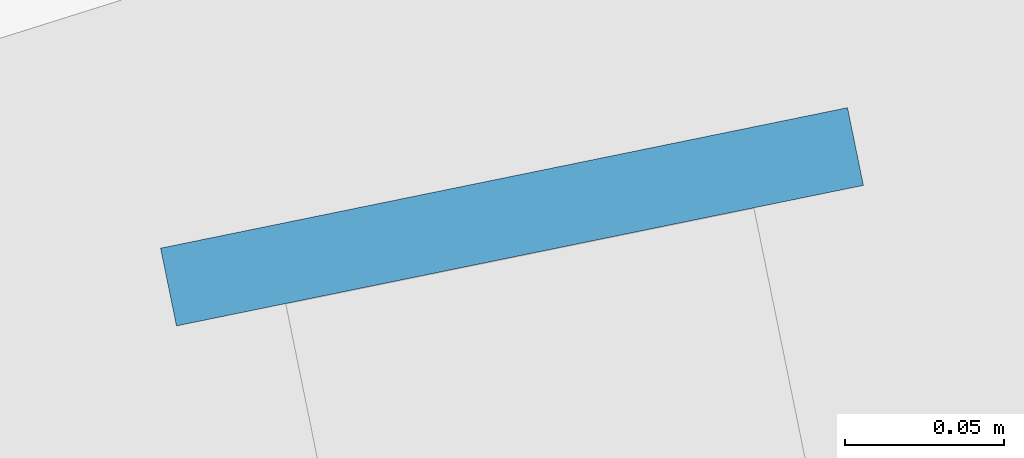
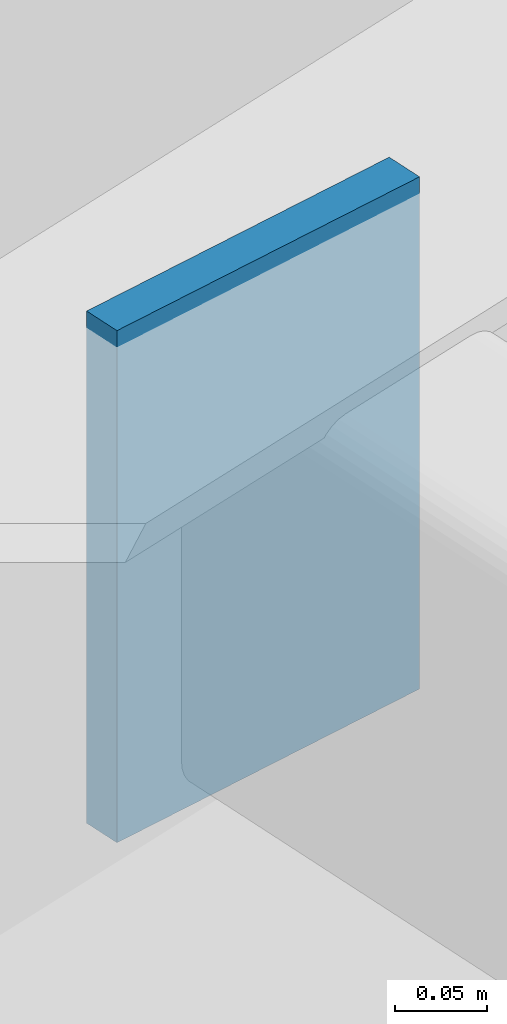
# One storey, part 7 of 14: 1 plate.
"""IFC4 building model written with IfcOpenShell, lengths in metres."""

from ifc_helpers import new_model, si_unit, direction, frame, origin, origin_2d, place, context, subcontext, project, spatial, rectangle, extrude, material, layer, layer_set, type_object, element, save


model = new_model("IFC4")

# Units and contexts
model_context = context("Model", 3, precision=1e-05, world=origin(), true_north=direction((0.0, 1.0)))
body_context = subcontext(model_context, "Body", "Model", "MODEL_VIEW")
ifc_project = project(units=[si_unit("LENGTHUNIT", "METRE"), si_unit("AREAUNIT", "SQUARE_METRE"), si_unit("VOLUMEUNIT", "CUBIC_METRE"), si_unit("PLANEANGLEUNIT", "RADIAN"), si_unit("MASSUNIT", "GRAM", prefix="KILO")], contexts=[model_context])

# Site, building, storey
site_placement = place(None, origin())
site = spatial("IfcSite", under=ifc_project, at=site_placement, CompositionType="ELEMENT")
building_placement = place(site_placement, origin())
building = spatial("IfcBuilding", under=site, at=building_placement, Name="Valkerne Bourse Tower", CompositionType="ELEMENT")
storey_placement = place(building_placement, frame((0.0, 0.0, 213.199951171875)))
storey = spatial("IfcBuildingStorey", under=building, at=storey_placement, Name="L54", CompositionType="ELEMENT", Elevation=213.199951171875)

# Plate
ifc_material = material(Name="Steel ASTM A572 Grade 50", Category="steel")
ifc_layer = layer(ifc_material, 0.02490234375)
ifc_layer_set = layer_set([ifc_layer], Name="Steel ASTM A572 Grade 50")
plate_type = type_object("IfcPlateType", Name="PLT-CAP-300", PredefinedType="SHEET", material=ifc_layer_set)
plate_placement = place(storey_placement, frame((60.5771484375, 28.455810546875, 3.27001953125), z_axis=(0.0, 0.0, 1.0), x_axis=(-0.200393999665, 0.979715389742, 0.0)))
element("IfcPlate", 1, at=plate_placement, inside=storey, type_object=plate_type, Name="L54 HSS300x150 Purlin End Cap Plate PLT-CAP300-L54-007", PredefinedType="SHEET", context=body_context, shape_type="SweptSolid", body=[
    extrude(rectangle(XDim=0.02490234375, YDim=0.219970703125, at=origin_2d()), origin(), (0.0, 0.0, 1.0), 0.340087890625),
])

save(model, "model.ifc")
